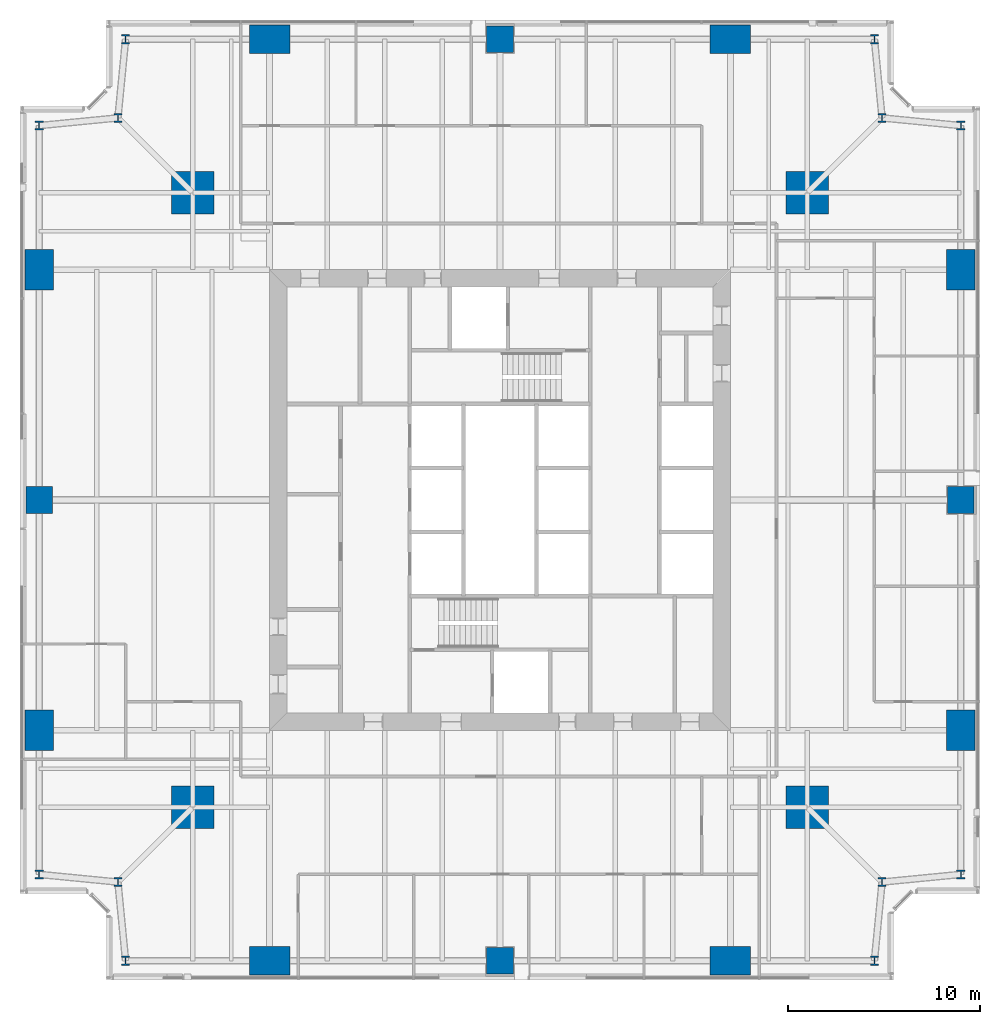
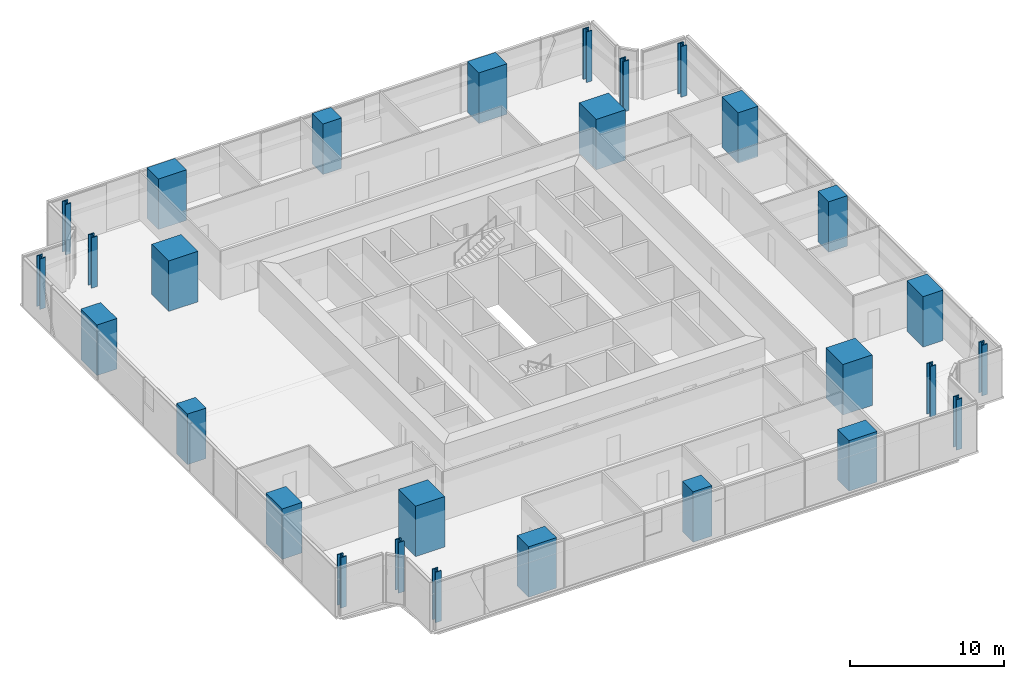
# One storey, part 1 of 13: 28 columns.
"""IFC4 building model written with IfcOpenShell, lengths in metres."""

from ifc_helpers import new_model, si_unit, direction, frame, origin, origin_2d, place, context, subcontext, project, spatial, rectangle, i_section, extrude, material, material_profile, profile_set, type_object, element, save


model = new_model("IFC4")

# Units and contexts
model_context = context("Model", 3, precision=1e-05, world=origin(), true_north=direction((0.0, 1.0)))
body_context = subcontext(model_context, "Body", "Model", "MODEL_VIEW")
ifc_project = project(units=[si_unit("LENGTHUNIT", "METRE"), si_unit("AREAUNIT", "SQUARE_METRE"), si_unit("VOLUMEUNIT", "CUBIC_METRE"), si_unit("PLANEANGLEUNIT", "RADIAN"), si_unit("MASSUNIT", "GRAM", prefix="KILO")], contexts=[model_context])

# Site, building, storey
site_placement = place(None, origin())
site = spatial("IfcSite", under=ifc_project, at=site_placement, CompositionType="ELEMENT")
building_placement = place(site_placement, origin())
building = spatial("IfcBuilding", under=site, at=building_placement, Name="Fenwick Lantern Interchange", CompositionType="ELEMENT")
storey_placement = place(building_placement, frame((0.0, 0.0, 110.39990234375)))
storey = spatial("IfcBuildingStorey", under=building, at=storey_placement, Name="L25", CompositionType="ELEMENT", Elevation=110.39990234375)

# Columns
ifc_material_1 = material(Name="Concrete f'c 70 MPa", Category="concrete")
ifc_material_profile_1 = material_profile(ifc_material_1, rectangle(XDim=2.199951171875, YDim=2.199951171875, at=origin_2d()), Name="RC2200X2200")
ifc_profile_set_1 = profile_set([ifc_material_profile_1], Name="Concrete f'c 70 MPa")
column_type_1 = type_object("IfcColumnType", Name="MEGA COLUMN RC2200X2200", PredefinedType="COLUMN", material=ifc_profile_set_1)
for number, where, z_axis, x_axis, name in (
    (1, (9.0, 9.0, 0.0), (0.0, 0.0, 1.0), (1.0, 0.0, 0.0), "L25/M1"),
    (2, (41.0, 9.0, 0.0), (0.0, 0.0, 1.0), (1.0, 0.0, 0.0), "L25/M2"),
    (3, (41.0, 41.0, 0.0), (0.0, 0.0, 1.0), (1.0, 0.0, 0.0), "L25/M3"),
    (4, (9.0, 41.0, 0.0), (0.0, 0.0, 1.0), (1.0, 0.0, 0.0), "L25/M4"),
):
    element("IfcColumn", number, at=place(storey_placement, frame(where, z_axis=z_axis, x_axis=x_axis)), inside=storey, type_object=column_type_1, Name=name, PredefinedType="COLUMN", context=body_context, shape_type="SweptSolid", body=[
        extrude(rectangle(XDim=2.199951171875, YDim=2.199951171875, at=origin_2d()), origin(), (0.0, 0.0, 1.0), 4.0),
    ])
ifc_material_profile_2 = material_profile(ifc_material_1, rectangle(XDim=1.39990234375, YDim=1.39990234375, at=origin_2d()), Name="RC1400X1400")
ifc_profile_set_2 = profile_set([ifc_material_profile_2], Name="Concrete f'c 70 MPa")
column_type_2 = type_object("IfcColumnType", Name="PERIMETER COLUMN RC1400X1400", PredefinedType="COLUMN", material=ifc_profile_set_2)
for number, where, z_axis, x_axis, name in (
    (5, (25.0, 1.0, 0.0), (0.0, 0.0, 1.0), (1.0, 0.0, 0.0), "L25/CS3"),
    (6, (49.0, 25.0, 0.0), (0.0, 0.0, 1.0), (1.0, 0.0, 0.0), "L25/CE3"),
    (7, (25.0, 49.0, 0.0), (0.0, 0.0, 1.0), (1.0, 0.0, 0.0), "L25/CN3"),
    (8, (1.0, 25.0, 0.0), (0.0, 0.0, 1.0), (1.0, 0.0, 0.0), "L25/CW3"),
):
    element("IfcColumn", number, at=place(storey_placement, frame(where, z_axis=z_axis, x_axis=x_axis)), inside=storey, type_object=column_type_2, Name=name, PredefinedType="COLUMN", context=body_context, shape_type="SweptSolid", body=[
        extrude(rectangle(XDim=1.39990234375, YDim=1.39990234375, at=origin_2d()), origin(), (0.0, 0.0, 1.0), 4.0),
    ])
ifc_material_profile_3 = material_profile(ifc_material_1, rectangle(XDim=1.5, YDim=2.10009765625, at=origin_2d()), Name="RC1500X2100")
ifc_profile_set_3 = profile_set([ifc_material_profile_3], Name="Concrete f'c 70 MPa")
column_type_3 = type_object("IfcColumnType", Name="PERIMETER COLUMN RC1500X2100", PredefinedType="COLUMN", material=ifc_profile_set_3)
for number, where, z_axis, x_axis, name in (
    (9, (49.0, 13.0, 0.0), (0.0, 0.0, 1.0), (1.0, 0.0, 0.0), "L25/CE2"),
    (10, (49.0, 37.0, 0.0), (0.0, 0.0, 1.0), (1.0, 0.0, 0.0), "L25/CE4"),
    (11, (1.0, 37.0, 0.0), (0.0, 0.0, 1.0), (1.0, 0.0, 0.0), "L25/CW2"),
    (12, (1.0, 13.0, 0.0), (0.0, 0.0, 1.0), (1.0, 0.0, 0.0), "L25/CW4"),
):
    element("IfcColumn", number, at=place(storey_placement, frame(where, z_axis=z_axis, x_axis=x_axis)), inside=storey, type_object=column_type_3, Name=name, PredefinedType="COLUMN", context=body_context, shape_type="SweptSolid", body=[
        extrude(rectangle(XDim=1.5, YDim=2.10009765625, at=origin_2d()), origin(), (0.0, 0.0, 1.0), 4.0),
    ])
ifc_material_profile_4 = material_profile(ifc_material_1, rectangle(XDim=2.10009765625, YDim=1.5, at=origin_2d()), Name="RC2100X1500")
ifc_profile_set_4 = profile_set([ifc_material_profile_4], Name="Concrete f'c 70 MPa")
column_type_4 = type_object("IfcColumnType", Name="PERIMETER COLUMN RC2100X1500", PredefinedType="COLUMN", material=ifc_profile_set_4)
for number, where, z_axis, x_axis, name in (
    (13, (13.0, 1.0, 0.0), (0.0, 0.0, 1.0), (1.0, 0.0, 0.0), "L25/CS2"),
    (14, (37.0, 1.0, 0.0), (0.0, 0.0, 1.0), (1.0, 0.0, 0.0), "L25/CS4"),
    (15, (37.0, 49.0, 0.0), (0.0, 0.0, 1.0), (1.0, 0.0, 0.0), "L25/CN2"),
    (16, (13.0, 49.0, 0.0), (0.0, 0.0, 1.0), (1.0, 0.0, 0.0), "L25/CN4"),
):
    element("IfcColumn", number, at=place(storey_placement, frame(where, z_axis=z_axis, x_axis=x_axis)), inside=storey, type_object=column_type_4, Name=name, PredefinedType="COLUMN", context=body_context, shape_type="SweptSolid", body=[
        extrude(rectangle(XDim=2.10009765625, YDim=1.5, at=origin_2d()), origin(), (0.0, 0.0, 1.0), 4.0),
    ])
ifc_material_2 = material(Name="Steel ASTM A992 Grade 50", Category="steel")
ifc_material_profile_5 = material_profile(ifc_material_2, i_section(OverallWidth=0.424072265625, OverallDepth=0.47509765625, WebThickness=0.0478515625, FlangeThickness=0.0771484375, at=origin_2d()), Name="W14X426")
ifc_profile_set_5 = profile_set([ifc_material_profile_5], Name="Steel ASTM A992 Grade 50")
column_type_5 = type_object("IfcColumnType", Name="PERIMETER COLUMN W14X426", PredefinedType="COLUMN", material=ifc_profile_set_5)
for number, where, z_axis, x_axis, name in (
    (17, (5.5, 1.0, 0.0), (0.0, 0.0, 1.0), (1.0, 0.0, 0.0), "L25/CS1"),
    (18, (44.5, 1.0, 0.0), (0.0, 0.0, 1.0), (1.0, 0.0, 0.0), "L25/CS5"),
    (19, (44.89990234375, 5.10009765625, 0.0), (0.0, 0.0, 1.0), (1.0, 0.0, 0.0), "L25/CSR"),
    (20, (49.0, 5.5, 0.0), (0.0, 0.0, 1.0), (1.0, 0.0, 0.0), "L25/CE1"),
    (21, (49.0, 44.5, 0.0), (0.0, 0.0, 1.0), (1.0, 0.0, 0.0), "L25/CE5"),
    (22, (44.89990234375, 44.89990234375, 0.0), (0.0, 0.0, 1.0), (1.0, 0.0, 0.0), "L25/CER"),
    (23, (44.5, 49.0, 0.0), (0.0, 0.0, 1.0), (1.0, 0.0, 0.0), "L25/CN1"),
    (24, (5.5, 49.0, 0.0), (0.0, 0.0, 1.0), (1.0, 0.0, 0.0), "L25/CN5"),
    (25, (5.10009765625, 44.89990234375, 0.0), (0.0, 0.0, 1.0), (1.0, 0.0, 0.0), "L25/CNR"),
    (26, (1.0, 44.5, 0.0), (0.0, 0.0, 1.0), (1.0, 0.0, 0.0), "L25/CW1"),
    (27, (1.0, 5.5, 0.0), (0.0, 0.0, 1.0), (1.0, 0.0, 0.0), "L25/CW5"),
    (28, (5.10009765625, 5.10009765625, 0.0), (0.0, 0.0, 1.0), (1.0, 0.0, 0.0), "L25/CWR"),
):
    element("IfcColumn", number, at=place(storey_placement, frame(where, z_axis=z_axis, x_axis=x_axis)), inside=storey, type_object=column_type_5, Name=name, PredefinedType="COLUMN", context=body_context, shape_type="SweptSolid", body=[
        extrude(i_section(OverallWidth=0.424072265625, OverallDepth=0.47509765625, WebThickness=0.0478515625, FlangeThickness=0.0771484375, at=origin_2d()), origin(), (0.0, 0.0, 1.0), 4.0),
    ])

save(model, "model.ifc")
